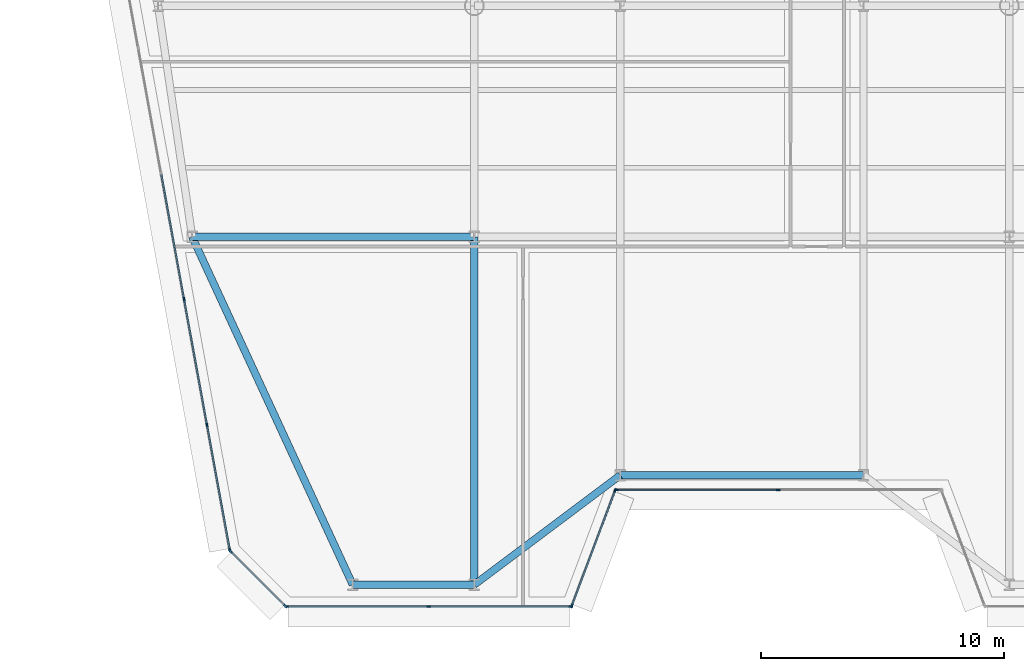
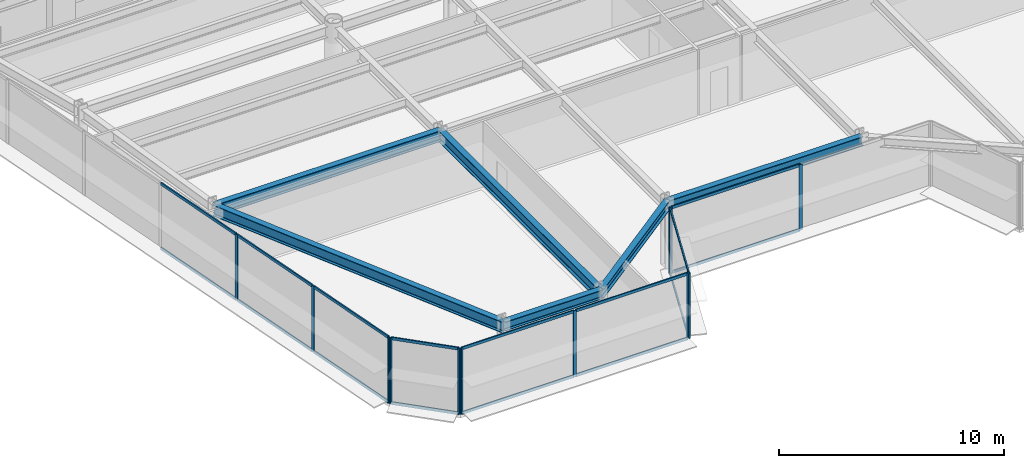
# One storey, part 2 of 17: 28 members, 6 beams, 5 elements without a shape of their own.
"""IFC4 building model written with IfcOpenShell, lengths in metres."""

from ifc_helpers import new_model, si_unit, direction, frame, origin, origin_2d, place, context, subcontext, project, spatial, rectangle, i_section, extrude, source, transform, mapped, material, layer, layer_set, material_profile, profile_set, type_object, element, aggregate, save


model = new_model("IFC4")

# Units and contexts
model_context = context("Model", 3, precision=1e-05, world=origin(), true_north=direction((0.0, 1.0)))
body_context = subcontext(model_context, "Body", "Model", "MODEL_VIEW")
ifc_project = project(units=[si_unit("LENGTHUNIT", "METRE"), si_unit("AREAUNIT", "SQUARE_METRE"), si_unit("VOLUMEUNIT", "CUBIC_METRE"), si_unit("PLANEANGLEUNIT", "RADIAN"), si_unit("MASSUNIT", "GRAM", prefix="KILO")], contexts=[model_context])

# Site, building, storey
site_placement = place(None, origin())
site = spatial("IfcSite", under=ifc_project, at=site_placement, CompositionType="ELEMENT")
building_placement = place(site_placement, origin())
building = spatial("IfcBuilding", under=site, at=building_placement, Name="Vaeldorn Concourse Tower", CompositionType="ELEMENT")
storey_placement = place(building_placement, frame((0.0, 0.0, 165.199951171875)))
storey = spatial("IfcBuildingStorey", under=building, at=storey_placement, Name="L42", CompositionType="ELEMENT", Elevation=165.199951171875)

# Beams
ifc_material_1 = material(Name="Steel S355", Category="steel")
ifc_material_profile_1 = material_profile(ifc_material_1, i_section(OverallWidth=0.300048828125, OverallDepth=0.5, WebThickness=0.014404296875, FlangeThickness=0.028076171875, FilletRadius=0.027099609375, at=origin_2d()), Name="HEB 500")
ifc_profile_set_1 = profile_set([ifc_material_profile_1], Name="Steel S355")
beam_type_1 = type_object("IfcBeamType", Name="BM-SP-HEB500", PredefinedType="SPANDREL", material=ifc_profile_set_1)
shared_shape_1 = source(origin(), body_context, "Body", "SweptSolid", [
    extrude(i_section(OverallWidth=0.300048828125, OverallDepth=0.5, WebThickness=0.014404296875, FlangeThickness=0.028076171875, FilletRadius=0.027099609375, at=origin_2d()), origin(), (0.0, 0.0, 1.0), 5.0),
])
beam_1_placement = place(storey_placement, frame((18.0, 3.699951171875, 3.330078125), z_axis=(1.0, 0.0, 0.0), x_axis=(0.0, 1.0, 0.0)))
element("IfcBeam", 1, at=beam_1_placement, inside=storey, type_object=beam_type_1, Name="Beam BM-L42-C-SF1-C-SF2", PredefinedType="SPANDREL", context=body_context, shape_type="MappedRepresentation", body=[
    mapped(shared_shape_1, transform((0.0, 0.0, 0.0), scale=1.0)),
])
shared_shape_2 = source(origin(), body_context, "Body", "SweptSolid", [
    extrude(i_section(OverallWidth=0.300048828125, OverallDepth=0.5, WebThickness=0.014404296875, FlangeThickness=0.028076171875, FilletRadius=0.027099609375, at=origin_2d()), origin(), (0.0, 0.0, 1.0), 7.5),
])
beam_2_placement = place(storey_placement, frame((23.0, 3.699951171875, 3.330078125), z_axis=(0.8, 0.6, 0.0), x_axis=(-0.6, 0.8, 0.0)))
element("IfcBeam", 2, at=beam_2_placement, inside=storey, type_object=beam_type_1, Name="Beam BM-L42-C-SF2-C-SF3", PredefinedType="SPANDREL", context=body_context, shape_type="MappedRepresentation", body=[
    mapped(shared_shape_2, transform((0.0, 0.0, 0.0), scale=1.0)),
])
shared_shape_3 = source(origin(), body_context, "Body", "SweptSolid", [
    extrude(i_section(OverallWidth=0.300048828125, OverallDepth=0.5, WebThickness=0.014404296875, FlangeThickness=0.028076171875, FilletRadius=0.027099609375, at=origin_2d()), origin(), (0.0, 0.0, 1.0), 10.0),
])
beam_3_placement = place(storey_placement, frame((29.0, 8.199951171875, 3.330078125), z_axis=(1.0, 0.0, 0.0), x_axis=(0.0, 1.0, 0.0)))
element("IfcBeam", 3, at=beam_3_placement, inside=storey, type_object=beam_type_1, Name="Beam BM-L42-C-SF3-C-SF4", PredefinedType="SPANDREL", context=body_context, shape_type="MappedRepresentation", body=[
    mapped(shared_shape_3, transform((0.0, 0.0, 0.0), scale=1.0)),
])
ifc_material_profile_2 = material_profile(ifc_material_1, i_section(OverallWidth=0.300048828125, OverallDepth=0.60009765625, WebThickness=0.015380859375, FlangeThickness=0.030029296875, FilletRadius=0.027099609375, at=origin_2d()), Name="HEB 600")
ifc_profile_set_2 = profile_set([ifc_material_profile_2], Name="Steel S355")
beam_type_2 = type_object("IfcBeamType", Name="BM-PG-HEB600", PredefinedType="BEAM", material=ifc_profile_set_2)
shared_shape_4 = source(origin(), body_context, "Body", "SweptSolid", [
    extrude(i_section(OverallWidth=0.300048828125, OverallDepth=0.60009765625, WebThickness=0.015380859375, FlangeThickness=0.030029296875, FilletRadius=0.027099609375, at=origin_2d()), origin(), (0.0, 0.0, 1.0), 11.60009765625),
])
beam_4_placement = place(storey_placement, frame((11.39990234375, 18.0, 3.280029296875), z_axis=(1.0, 0.0, 0.0), x_axis=(0.0, 1.0, 0.0)))
element("IfcBeam", 4, at=beam_4_placement, inside=storey, type_object=beam_type_2, Name="Beam BM-L42-C-FLW2-C-TW5", PredefinedType="BEAM", context=body_context, shape_type="MappedRepresentation", body=[
    mapped(shared_shape_4, transform((0.0, 0.0, 0.0), scale=1.0)),
])
shared_shape_5 = source(origin(), body_context, "Body", "SweptSolid", [
    extrude(i_section(OverallWidth=0.300048828125, OverallDepth=0.60009765625, WebThickness=0.015380859375, FlangeThickness=0.030029296875, FilletRadius=0.027099609375, at=origin_2d()), origin(), (0.0, 0.0, 1.0), 15.749755859375),
])
beam_5_placement = place(storey_placement, frame((18.0, 3.699951171875, 3.280029296875), z_axis=(-0.419062109495, 0.907957569706, 0.0), x_axis=(-0.907957569706, -0.419062109495, 0.0)))
element("IfcBeam", 5, at=beam_5_placement, inside=storey, type_object=beam_type_2, Name="Beam BM-L42-C-SF1-C-FLW2", PredefinedType="BEAM", context=body_context, shape_type="MappedRepresentation", body=[
    mapped(shared_shape_5, transform((0.0, 0.0, 0.0), scale=1.0)),
])
shared_shape_6 = source(origin(), body_context, "Body", "SweptSolid", [
    extrude(i_section(OverallWidth=0.300048828125, OverallDepth=0.60009765625, WebThickness=0.015380859375, FlangeThickness=0.030029296875, FilletRadius=0.027099609375, at=origin_2d()), origin(), (0.0, 0.0, 1.0), 14.300048828125),
])
beam_6_placement = place(storey_placement, frame((23.0, 3.699951171875, 3.280029296875), z_axis=(0.0, 1.0, 0.0), x_axis=(-1.0, 0.0, 0.0)))
element("IfcBeam", 6, at=beam_6_placement, inside=storey, type_object=beam_type_2, Name="Beam BM-L42-C-SF2-C-TW5", PredefinedType="BEAM", context=body_context, shape_type="MappedRepresentation", body=[
    mapped(shared_shape_6, transform((0.0, 0.0, 0.0), scale=1.0)),
])

# Curtain wall, members
ifc_material_2 = material(Name="Anodised Bronze Aluminium", Category="aluminium")
ifc_layer = layer(ifc_material_2, 0.18994140625)
ifc_layer_set = layer_set([ifc_layer], Name="Anodised Bronze Aluminium")
curtain_wall_type = type_object("IfcCurtainWallType", Name="CW-SYS-03", PredefinedType="NOTDEFINED", material=ifc_layer_set)
curtain_wall_1_placement = place(storey_placement, origin())
curtain_wall_1 = element("IfcCurtainWall", 7, at=curtain_wall_1_placement, inside=storey, type_object=curtain_wall_type, Name="Unitised Curtain Wall CW-L42-E02-1", PredefinedType="NOTDEFINED")
ifc_material_profile_3 = material_profile(ifc_material_2, rectangle(XDim=0.06494140625, YDim=0.14990234375, at=origin_2d()), Name="CWT 65x150")
ifc_profile_set_3 = profile_set([ifc_material_profile_3], Name="Anodised Bronze Aluminium")
member_type_1 = type_object("IfcMemberType", Name="CWT-BRONZE-150", PredefinedType="USERDEFINED", material=ifc_profile_set_3)
shared_shape_7 = source(origin(), body_context, "Body", "SweptSolid", [
    extrude(rectangle(XDim=0.06494140625, YDim=0.14990234375, at=origin_2d()), origin(), (0.0, 0.0, 1.0), 4.996337890625),
])
member_1_placement = place(storey_placement, frame((27.022705078125, 2.86083984375, 0.032470703125), z_axis=(0.351134151405, 0.936325161318, 0.0), x_axis=(-0.936325161318, 0.351134151405, 0.0)))
member_1 = element("IfcMember", 8, at=member_1_placement, type_object=member_type_1, Name="CW-03 transom 1.1", ObjectType="TRANSOM", PredefinedType="USERDEFINED", context=body_context, shape_type="MappedRepresentation", body=[
    mapped(shared_shape_7, transform((0.0, 0.0, 0.0), scale=1.0)),
])
member_2_placement = place(storey_placement, frame((27.022705078125, 2.86083984375, 3.547607421875), z_axis=(0.351134151405, 0.936325161318, 0.0), x_axis=(-0.936325161318, 0.351134151405, 0.0)))
member_2 = element("IfcMember", 9, at=member_2_placement, type_object=member_type_1, Name="CW-03 transom 1.2", ObjectType="TRANSOM", PredefinedType="USERDEFINED", context=body_context, shape_type="MappedRepresentation", body=[
    mapped(shared_shape_7, transform((0.0, 0.0, 0.0), scale=1.0)),
])

curtain_wall_2_placement = place(storey_placement, origin())
curtain_wall_2 = element("IfcCurtainWall", 10, at=curtain_wall_2_placement, inside=storey, type_object=curtain_wall_type, Name="Unitised Curtain Wall CW-L42-E03-1", PredefinedType="NOTDEFINED")
shared_shape_8 = source(origin(), body_context, "Body", "SweptSolid", [
    extrude(rectangle(XDim=0.06494140625, YDim=0.14990234375, at=origin_2d()), origin(), (0.0, 0.0, 1.0), 6.6025390625),
])
member_3_placement = place(storey_placement, frame((28.864990234375, 7.60009765625, 0.032470703125), z_axis=(1.0, 0.0, 0.0), x_axis=(0.0, 1.0, 0.0)))
member_3 = element("IfcMember", 11, at=member_3_placement, type_object=member_type_1, Name="CW-03 transom 1.1", ObjectType="TRANSOM", PredefinedType="USERDEFINED", context=body_context, shape_type="MappedRepresentation", body=[
    mapped(shared_shape_8, transform((0.0, 0.0, 0.0), scale=1.0)),
])
member_4_placement = place(storey_placement, frame((28.864990234375, 7.60009765625, 3.547607421875), z_axis=(1.0, 0.0, 0.0), x_axis=(0.0, 1.0, 0.0)))
member_4 = element("IfcMember", 12, at=member_4_placement, type_object=member_type_1, Name="CW-03 transom 1.2", ObjectType="TRANSOM", PredefinedType="USERDEFINED", context=body_context, shape_type="MappedRepresentation", body=[
    mapped(shared_shape_8, transform((0.0, 0.0, 0.0), scale=1.0)),
])

curtain_wall_3_placement = place(storey_placement, origin())
curtain_wall_3 = element("IfcCurtainWall", 13, at=curtain_wall_3_placement, inside=storey, type_object=curtain_wall_type, Name="Unitised Curtain Wall CW-L42-E12-1", PredefinedType="NOTDEFINED")
shared_shape_9 = source(origin(), body_context, "Body", "SweptSolid", [
    extrude(rectangle(XDim=0.06494140625, YDim=0.14990234375, at=origin_2d()), origin(), (0.0, 0.0, 1.0), 3.12255859375),
])
member_5_placement = place(storey_placement, frame((12.9990234375, 5.053955078125, 0.032470703125), z_axis=(0.707106781187, -0.707106781187, 0.0), x_axis=(0.707106781187, 0.707106781187, 0.0)))
member_5 = element("IfcMember", 14, at=member_5_placement, type_object=member_type_1, Name="CW-03 transom 1.1", ObjectType="TRANSOM", PredefinedType="USERDEFINED", context=body_context, shape_type="MappedRepresentation", body=[
    mapped(shared_shape_9, transform((0.0, 0.0, 0.0), scale=1.0)),
])
member_6_placement = place(storey_placement, frame((12.9990234375, 5.053955078125, 3.547607421875), z_axis=(0.707106781187, -0.707106781187, 0.0), x_axis=(0.707106781187, 0.707106781187, 0.0)))
member_6 = element("IfcMember", 15, at=member_6_placement, type_object=member_type_1, Name="CW-03 transom 1.2", ObjectType="TRANSOM", PredefinedType="USERDEFINED", context=body_context, shape_type="MappedRepresentation", body=[
    mapped(shared_shape_9, transform((0.0, 0.0, 0.0), scale=1.0)),
])

curtain_wall_4_placement = place(storey_placement, origin())
curtain_wall_4 = element("IfcCurtainWall", 16, at=curtain_wall_4_placement, inside=storey, type_object=curtain_wall_type, Name="Unitised Curtain Wall CW-L42-E01-1", PredefinedType="NOTDEFINED")
shared_shape_10 = source(origin(), body_context, "Body", "SweptSolid", [
    extrude(rectangle(XDim=0.06494140625, YDim=0.14990234375, at=origin_2d()), origin(), (0.0, 0.0, 1.0), 5.77587890625),
])
member_7_placement = place(storey_placement, frame((15.318115234375, 2.800048828125, 0.032470703125), z_axis=(1.0, 0.0, 0.0), x_axis=(0.0, 1.0, 0.0)))
member_7 = element("IfcMember", 17, at=member_7_placement, type_object=member_type_1, Name="CW-03 transom 1.1", ObjectType="TRANSOM", PredefinedType="USERDEFINED", context=body_context, shape_type="MappedRepresentation", body=[
    mapped(shared_shape_10, transform((0.0, 0.0, 0.0), scale=1.0)),
])
member_8_placement = place(storey_placement, frame((15.318115234375, 2.800048828125, 3.547607421875), z_axis=(1.0, 0.0, 0.0), x_axis=(0.0, 1.0, 0.0)))
member_8 = element("IfcMember", 18, at=member_8_placement, type_object=member_type_1, Name="CW-03 transom 1.2", ObjectType="TRANSOM", PredefinedType="USERDEFINED", context=body_context, shape_type="MappedRepresentation", body=[
    mapped(shared_shape_10, transform((0.0, 0.0, 0.0), scale=1.0)),
])
shared_shape_11 = source(origin(), body_context, "Body", "SweptSolid", [
    extrude(rectangle(XDim=0.06494140625, YDim=0.14990234375, at=origin_2d()), origin(), (0.0, 0.0, 1.0), 5.776123046875),
])
member_9_placement = place(storey_placement, frame((21.158935546875, 2.800048828125, 0.032470703125), z_axis=(1.0, 0.0, 0.0), x_axis=(0.0, 1.0, 0.0)))
member_9 = element("IfcMember", 19, at=member_9_placement, type_object=member_type_1, Name="CW-03 transom 2.1", ObjectType="TRANSOM", PredefinedType="USERDEFINED", context=body_context, shape_type="MappedRepresentation", body=[
    mapped(shared_shape_11, transform((0.0, 0.0, 0.0), scale=1.0)),
])
member_10_placement = place(storey_placement, frame((21.158935546875, 2.800048828125, 3.547607421875), z_axis=(1.0, 0.0, 0.0), x_axis=(0.0, 1.0, 0.0)))
member_10 = element("IfcMember", 20, at=member_10_placement, type_object=member_type_1, Name="CW-03 transom 2.2", ObjectType="TRANSOM", PredefinedType="USERDEFINED", context=body_context, shape_type="MappedRepresentation", body=[
    mapped(shared_shape_11, transform((0.0, 0.0, 0.0), scale=1.0)),
])

curtain_wall_5_placement = place(storey_placement, origin())
curtain_wall_5 = element("IfcCurtainWall", 21, at=curtain_wall_5_placement, inside=storey, type_object=curtain_wall_type, Name="Unitised Curtain Wall CW-L42-E11-2", PredefinedType="NOTDEFINED")
shared_shape_12 = source(origin(), body_context, "Body", "SweptSolid", [
    extrude(rectangle(XDim=0.06494140625, YDim=0.14990234375, at=origin_2d()), origin(), (0.0, 0.0, 1.0), 5.151611328125),
])
member_11_placement = place(storey_placement, frame((12.016845703125, 10.23193359375, 0.032470703125), z_axis=(0.179473445995, -0.983762818053, 0.0), x_axis=(0.983762818053, 0.179473445995, 0.0)))
member_11 = element("IfcMember", 22, at=member_11_placement, type_object=member_type_1, Name="CW-03 transom 6.1", ObjectType="TRANSOM", PredefinedType="USERDEFINED", context=body_context, shape_type="MappedRepresentation", body=[
    mapped(shared_shape_12, transform((0.0, 0.0, 0.0), scale=1.0)),
])
member_12_placement = place(storey_placement, frame((12.016845703125, 10.23193359375, 3.547607421875), z_axis=(0.179473445995, -0.983762818053, 0.0), x_axis=(0.983762818053, 0.179473445995, 0.0)))
member_12 = element("IfcMember", 23, at=member_12_placement, type_object=member_type_1, Name="CW-03 transom 6.2", ObjectType="TRANSOM", PredefinedType="USERDEFINED", context=body_context, shape_type="MappedRepresentation", body=[
    mapped(shared_shape_12, transform((0.0, 0.0, 0.0), scale=1.0)),
])
shared_shape_13 = source(origin(), body_context, "Body", "SweptSolid", [
    extrude(rectangle(XDim=0.06494140625, YDim=0.14990234375, at=origin_2d()), origin(), (0.0, 0.0, 1.0), 5.18408203125),
])
member_13_placement = place(storey_placement, frame((11.074951171875, 15.395751953125, 0.032470703125), z_axis=(0.179432467646, -0.983770293084, 0.0), x_axis=(0.983770293084, 0.179432467646, 0.0)))
member_13 = element("IfcMember", 24, at=member_13_placement, type_object=member_type_1, Name="CW-03 transom 5.1", ObjectType="TRANSOM", PredefinedType="USERDEFINED", context=body_context, shape_type="MappedRepresentation", body=[
    mapped(shared_shape_13, transform((0.0, 0.0, 0.0), scale=1.0)),
])
member_14_placement = place(storey_placement, frame((11.074951171875, 15.395751953125, 3.547607421875), z_axis=(0.179432467646, -0.983770293084, 0.0), x_axis=(0.983770293084, 0.179432467646, 0.0)))
member_14 = element("IfcMember", 25, at=member_14_placement, type_object=member_type_1, Name="CW-03 transom 5.2", ObjectType="TRANSOM", PredefinedType="USERDEFINED", context=body_context, shape_type="MappedRepresentation", body=[
    mapped(shared_shape_13, transform((0.0, 0.0, 0.0), scale=1.0)),
])
shared_shape_14 = source(origin(), body_context, "Body", "SweptSolid", [
    extrude(rectangle(XDim=0.06494140625, YDim=0.14990234375, at=origin_2d()), origin(), (0.0, 0.0, 1.0), 5.184326171875),
])
member_15_placement = place(storey_placement, frame((10.133056640625, 20.559814453125, 0.032470703125), z_axis=(0.179424154775, -0.983771809254, 0.0), x_axis=(0.983771809254, 0.179424154775, 0.0)))
member_15 = element("IfcMember", 26, at=member_15_placement, type_object=member_type_1, Name="CW-03 transom 4.1", ObjectType="TRANSOM", PredefinedType="USERDEFINED", context=body_context, shape_type="MappedRepresentation", body=[
    mapped(shared_shape_14, transform((0.0, 0.0, 0.0), scale=1.0)),
])
member_16_placement = place(storey_placement, frame((10.133056640625, 20.559814453125, 3.547607421875), z_axis=(0.179424154775, -0.983771809254, 0.0), x_axis=(0.983771809254, 0.179424154775, 0.0)))
member_16 = element("IfcMember", 27, at=member_16_placement, type_object=member_type_1, Name="CW-03 transom 4.2", ObjectType="TRANSOM", PredefinedType="USERDEFINED", context=body_context, shape_type="MappedRepresentation", body=[
    mapped(shared_shape_14, transform((0.0, 0.0, 0.0), scale=1.0)),
])

# Member
ifc_material_profile_4 = material_profile(ifc_material_2, rectangle(XDim=0.06494140625, YDim=0.169921875, at=origin_2d()), Name="CWM 65x170")
ifc_profile_set_4 = profile_set([ifc_material_profile_4], Name="Anodised Bronze Aluminium")
member_type_2 = type_object("IfcMemberType", Name="CWM-BRONZE-170", PredefinedType="MULLION", material=ifc_profile_set_4)
shared_shape_15 = source(origin(), body_context, "Body", "SweptSolid", [
    extrude(rectangle(XDim=0.06494140625, YDim=0.169921875, at=origin_2d()), origin(), (0.0, 0.0, 1.0), 3.580078125),
])
member_17_placement = place(storey_placement, frame((15.285400390625, 2.800048828125, 0.0), z_axis=(0.0, 0.0, 1.0), x_axis=(0.0, 1.0, 0.0)))
member_17 = element("IfcMember", 28, at=member_17_placement, type_object=member_type_2, Name="CW-03 mullion 1", PredefinedType="MULLION", context=body_context, shape_type="MappedRepresentation", body=[
    mapped(shared_shape_15, transform((0.0, 0.0, 0.0), scale=1.0)),
])

member_18_placement = place(storey_placement, frame((21.12646484375, 2.800048828125, 0.0), z_axis=(0.0, 0.0, 1.0), x_axis=(0.0, 1.0, 0.0)))
member_18 = element("IfcMember", 29, at=member_18_placement, type_object=member_type_2, Name="CW-03 mullion 2", PredefinedType="MULLION", context=body_context, shape_type="MappedRepresentation", body=[
    mapped(shared_shape_15, transform((0.0, 0.0, 0.0), scale=1.0)),
])

member_19_placement = place(storey_placement, frame((26.967529296875, 2.800048828125, 0.0), z_axis=(0.0, 0.0, 1.0), x_axis=(0.0, 1.0, 0.0)))
member_19 = element("IfcMember", 30, at=member_19_placement, type_object=member_type_2, Name="CW-03 mullion 3", PredefinedType="MULLION", context=body_context, shape_type="MappedRepresentation", body=[
    mapped(shared_shape_15, transform((0.0, 0.0, 0.0), scale=1.0)),
])

aggregate(curtain_wall_4, [member_17, member_18, member_19, member_7, member_8, member_9, member_10])

member_20_placement = place(storey_placement, frame((27.011474609375, 2.830322265625, 0.0), z_axis=(0.0, 0.0, 1.0), x_axis=(-0.936329177566, 0.351123441595, 0.0)))
member_20 = element("IfcMember", 31, at=member_20_placement, type_object=member_type_2, Name="CW-03 mullion 1", PredefinedType="MULLION", context=body_context, shape_type="MappedRepresentation", body=[
    mapped(shared_shape_15, transform((0.0, 0.0, 0.0), scale=1.0)),
])

member_21_placement = place(storey_placement, frame((28.78857421875, 7.569580078125, 0.0), z_axis=(0.0, 0.0, 1.0), x_axis=(-0.936329177566, 0.351123441595, 0.0)))
member_21 = element("IfcMember", 32, at=member_21_placement, type_object=member_type_2, Name="CW-03 mullion 2", PredefinedType="MULLION", context=body_context, shape_type="MappedRepresentation", body=[
    mapped(shared_shape_15, transform((0.0, 0.0, 0.0), scale=1.0)),
])

aggregate(curtain_wall_1, [member_20, member_21, member_1, member_2])

member_22_placement = place(storey_placement, frame((28.83251953125, 7.60009765625, 0.0), z_axis=(0.0, 0.0, 1.0), x_axis=(0.0, 1.0, 0.0)))
member_22 = element("IfcMember", 33, at=member_22_placement, type_object=member_type_2, Name="CW-03 mullion 1", PredefinedType="MULLION", context=body_context, shape_type="MappedRepresentation", body=[
    mapped(shared_shape_15, transform((0.0, 0.0, 0.0), scale=1.0)),
])

member_23_placement = place(storey_placement, frame((35.5, 7.60009765625, 0.0), z_axis=(0.0, 0.0, 1.0), x_axis=(0.0, 1.0, 0.0)))
member_23 = element("IfcMember", 34, at=member_23_placement, type_object=member_type_2, Name="CW-03 mullion 2", PredefinedType="MULLION", context=body_context, shape_type="MappedRepresentation", body=[
    mapped(shared_shape_15, transform((0.0, 0.0, 0.0), scale=1.0)),
])

aggregate(curtain_wall_2, [member_22, member_23, member_3, member_4])

member_24_placement = place(storey_placement, frame((11.069091796875, 15.427734375, 0.0), z_axis=(0.0, 0.0, 1.0), x_axis=(0.983767841325, 0.179445909331, 0.0)))
member_24 = element("IfcMember", 35, at=member_24_placement, type_object=member_type_2, Name="CW-03 mullion 5", PredefinedType="MULLION", context=body_context, shape_type="MappedRepresentation", body=[
    mapped(shared_shape_15, transform((0.0, 0.0, 0.0), scale=1.0)),
])

member_25_placement = place(storey_placement, frame((12.010986328125, 10.263916015625, 0.0), z_axis=(0.0, 0.0, 1.0), x_axis=(0.983767841325, 0.179445909331, 0.0)))
member_25 = element("IfcMember", 36, at=member_25_placement, type_object=member_type_2, Name="CW-03 mullion 6", PredefinedType="MULLION", context=body_context, shape_type="MappedRepresentation", body=[
    mapped(shared_shape_15, transform((0.0, 0.0, 0.0), scale=1.0)),
])

member_26_placement = place(storey_placement, frame((12.947265625, 5.132080078125, 0.0), z_axis=(0.0, 0.0, 1.0), x_axis=(0.983767841325, 0.179445909331, 0.0)))
member_26 = element("IfcMember", 37, at=member_26_placement, type_object=member_type_2, Name="CW-03 mullion 7", PredefinedType="MULLION", context=body_context, shape_type="MappedRepresentation", body=[
    mapped(shared_shape_15, transform((0.0, 0.0, 0.0), scale=1.0)),
])

aggregate(curtain_wall_5, [member_24, member_25, member_26, member_15, member_16, member_13, member_14, member_11, member_12])

member_27_placement = place(storey_placement, frame((12.97607421875, 5.076904296875, 0.0), z_axis=(0.0, 0.0, 1.0), x_axis=(0.707106781187, 0.707106781187, 0.0)))
member_27 = element("IfcMember", 38, at=member_27_placement, type_object=member_type_2, Name="CW-03 mullion 1", PredefinedType="MULLION", context=body_context, shape_type="MappedRepresentation", body=[
    mapped(shared_shape_15, transform((0.0, 0.0, 0.0), scale=1.0)),
])

member_28_placement = place(storey_placement, frame((15.22998046875, 2.822998046875, 0.0), z_axis=(0.0, 0.0, 1.0), x_axis=(0.707106781187, 0.707106781187, 0.0)))
member_28 = element("IfcMember", 39, at=member_28_placement, type_object=member_type_2, Name="CW-03 mullion 2", PredefinedType="MULLION", context=body_context, shape_type="MappedRepresentation", body=[
    mapped(shared_shape_15, transform((0.0, 0.0, 0.0), scale=1.0)),
])

aggregate(curtain_wall_3, [member_27, member_28, member_5, member_6])

save(model, "model.ifc")
